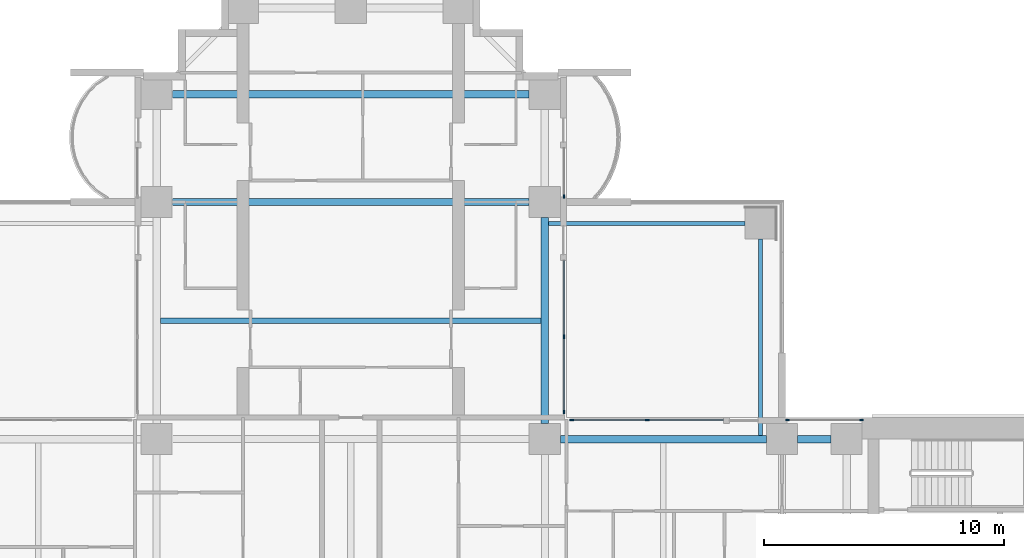
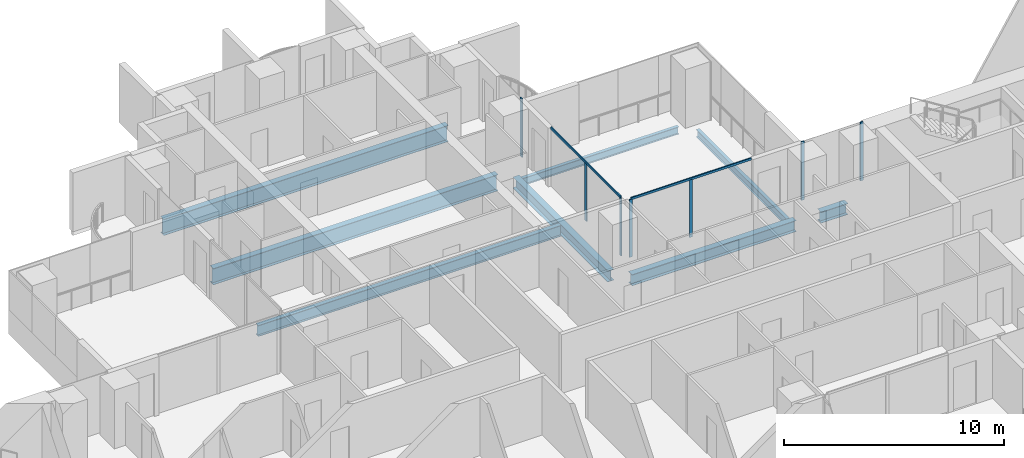
# One storey, part 7 of 23: 9 members, 8 beams, 4 elements without a shape of their own.
"""IFC4 building model written with IfcOpenShell, lengths in metres."""

from ifc_helpers import new_model, si_unit, direction, frame, origin, origin_2d, place, context, subcontext, project, spatial, rectangle, i_section, extrude, material, material_profile, profile_set, type_object, element, aggregate, save


model = new_model("IFC4")

# Units and contexts
model_context = context("Model", 3, precision=1e-05, world=origin(), true_north=direction((0.0, 1.0)))
body_context = subcontext(model_context, "Body", "Model", "MODEL_VIEW")
ifc_project = project(units=[si_unit("LENGTHUNIT", "METRE"), si_unit("AREAUNIT", "SQUARE_METRE"), si_unit("VOLUMEUNIT", "CUBIC_METRE"), si_unit("PLANEANGLEUNIT", "RADIAN"), si_unit("MASSUNIT", "GRAM", prefix="KILO")], contexts=[model_context])

# Site, building, storey
site_placement = place(None, origin())
site = spatial("IfcSite", under=ifc_project, at=site_placement, CompositionType="ELEMENT")
building_placement = place(site_placement, origin())
building = spatial("IfcBuilding", under=site, at=building_placement, Name="Perihelion Cross Residences", CompositionType="ELEMENT")
storey_placement = place(building_placement, frame((0.0, 0.0, 85.5)))
storey = spatial("IfcBuildingStorey", under=building, at=storey_placement, Name="L19", CompositionType="ELEMENT", Elevation=85.5)

# Curtain wall, members
ifc_material_1 = material(Name="Bronze anodised aluminium, tinted glazing", Category="aluminium")
curtain_wall_type = type_object("IfcCurtainWallType", Name="CW1", PredefinedType="NOTDEFINED", material=ifc_material_1)
curtain_wall_1_placement = place(storey_placement, origin())
curtain_wall_1 = element("IfcCurtainWall", 1, at=curtain_wall_1_placement, inside=storey, type_object=curtain_wall_type, Name="Curtain wall CW1 L19 east side north bay 1", PredefinedType="NOTDEFINED")
ifc_material_2 = material(Name="Bronze anodised aluminium", Category="aluminium")
ifc_material_profile_1 = material_profile(ifc_material_2, rectangle(XDim=0.06005859375, YDim=0.159912109375, at=origin_2d()), Name="CW1 mullion")
ifc_profile_set_1 = profile_set([ifc_material_profile_1], Name="Bronze anodised aluminium")
member_type_1 = type_object("IfcMemberType", Name="CW1 mullion", PredefinedType="MULLION", material=ifc_profile_set_1)
member_1_placement = place(storey_placement, frame((21.320068359375, 8.89990234375, 0.0), z_axis=(0.0, 0.0, 1.0), x_axis=(0.0, -1.0, 0.0)))
member_1 = element("IfcMember", 2, at=member_1_placement, type_object=member_type_1, Name="CW1 mullion 1", PredefinedType="MULLION", context=body_context, shape_type="SweptSolid", body=[
    extrude(rectangle(XDim=0.06005859375, YDim=0.159912109375, at=origin_2d()), origin(), (0.0, 0.0, 1.0), 3.25),
])
member_2_placement = place(storey_placement, frame((18.22998046875, 8.89990234375, 0.0), z_axis=(0.0, 0.0, 1.0), x_axis=(0.0, -1.0, 0.0)))
member_2 = element("IfcMember", 3, at=member_2_placement, type_object=member_type_1, Name="CW1 mullion 2", PredefinedType="MULLION", context=body_context, shape_type="SweptSolid", body=[
    extrude(rectangle(XDim=0.06005859375, YDim=0.159912109375, at=origin_2d()), origin(), (0.0, 0.0, 1.0), 3.25),
])
aggregate(curtain_wall_1, [member_1, member_2])

curtain_wall_2_placement = place(storey_placement, origin())
curtain_wall_2 = element("IfcCurtainWall", 4, at=curtain_wall_2_placement, inside=storey, type_object=curtain_wall_type, Name="Curtain wall CW1 L19 east side north bay 2", PredefinedType="NOTDEFINED")
member_3_placement = place(storey_placement, frame((12.375, 8.89990234375, 0.0), z_axis=(0.0, 0.0, 1.0), x_axis=(0.0, -1.0, 0.0)))
member_3 = element("IfcMember", 5, at=member_3_placement, type_object=member_type_1, Name="CW1 mullion 2", PredefinedType="MULLION", context=body_context, shape_type="SweptSolid", body=[
    extrude(rectangle(XDim=0.06005859375, YDim=0.159912109375, at=origin_2d()), origin(), (0.0, 0.0, 1.0), 3.18994140625),
])
member_4_placement = place(storey_placement, frame((9.22998046875, 8.89990234375, 0.0), z_axis=(0.0, 0.0, 1.0), x_axis=(0.0, -1.0, 0.0)))
member_4 = element("IfcMember", 6, at=member_4_placement, type_object=member_type_1, Name="CW1 mullion 3", PredefinedType="MULLION", context=body_context, shape_type="SweptSolid", body=[
    extrude(rectangle(XDim=0.06005859375, YDim=0.159912109375, at=origin_2d()), origin(), (0.0, 0.0, 1.0), 3.18994140625),
])

curtain_wall_3_placement = place(storey_placement, origin())
curtain_wall_3 = element("IfcCurtainWall", 7, at=curtain_wall_3_placement, inside=storey, type_object=curtain_wall_type, Name="Curtain wall CW1 L19 north side east bay 1", PredefinedType="NOTDEFINED")
member_5_placement = place(storey_placement, frame((8.89990234375, 9.22998046875, 0.0), z_axis=(0.0, 0.0, 1.0), x_axis=(-1.0, 0.0, 0.0)))
member_5 = element("IfcMember", 8, at=member_5_placement, type_object=member_type_1, Name="CW1 mullion 1", PredefinedType="MULLION", context=body_context, shape_type="SweptSolid", body=[
    extrude(rectangle(XDim=0.06005859375, YDim=0.159912109375, at=origin_2d()), origin(), (0.0, 0.0, 1.0), 3.18994140625),
])
member_6_placement = place(storey_placement, frame((8.89990234375, 12.375, 0.0), z_axis=(0.0, 0.0, 1.0), x_axis=(-1.0, 0.0, 0.0)))
member_6 = element("IfcMember", 9, at=member_6_placement, type_object=member_type_1, Name="CW1 mullion 2", PredefinedType="MULLION", context=body_context, shape_type="SweptSolid", body=[
    extrude(rectangle(XDim=0.06005859375, YDim=0.159912109375, at=origin_2d()), origin(), (0.0, 0.0, 1.0), 3.18994140625),
])

# Curtain wall, member
curtain_wall_4_placement = place(storey_placement, origin())
curtain_wall_4 = element("IfcCurtainWall", 10, at=curtain_wall_4_placement, inside=storey, type_object=curtain_wall_type, Name="Curtain wall CW1 L19 north side east bay 2", PredefinedType="NOTDEFINED")
member_7_placement = place(storey_placement, frame((8.89990234375, 18.22998046875, 0.0), z_axis=(0.0, 0.0, 1.0), x_axis=(-1.0, 0.0, 0.0)))
member_7 = element("IfcMember", 11, at=member_7_placement, type_object=member_type_1, Name="CW1 mullion 1", PredefinedType="MULLION", context=body_context, shape_type="SweptSolid", body=[
    extrude(rectangle(XDim=0.06005859375, YDim=0.159912109375, at=origin_2d()), origin(), (0.0, 0.0, 1.0), 3.25),
])
aggregate(curtain_wall_4, [member_7])

# Member
ifc_material_3 = material(Name="Bronze anodised aluminium", Category="aluminium")
ifc_material_profile_2 = material_profile(ifc_material_3, rectangle(XDim=0.06005859375, YDim=0.1201171875, at=origin_2d()), Name="CW1 transom")
ifc_profile_set_2 = profile_set([ifc_material_profile_2], Name="Bronze anodised aluminium")
member_type_2 = type_object("IfcMemberType", Name="CW1 transom", PredefinedType="USERDEFINED", material=ifc_profile_set_2)
member_8_placement = place(storey_placement, frame((15.550048828125, 8.89990234375, 3.219970703125), z_axis=(-1.0, 0.0, 0.0), x_axis=(0.0, -1.0, 0.0)))
member_8 = element("IfcMember", 12, at=member_8_placement, type_object=member_type_2, Name="CW1 head transom", ObjectType="TRANSOM", PredefinedType="USERDEFINED", context=body_context, shape_type="SweptSolid", body=[
    extrude(rectangle(XDim=0.06005859375, YDim=0.1201171875, at=origin_2d()), origin(), (0.0, 0.0, 1.0), 6.320068359375),
])

aggregate(curtain_wall_2, [member_3, member_4, member_8])

member_9_placement = place(storey_placement, frame((8.89990234375, 9.22998046875, 3.219970703125), z_axis=(0.0, 1.0, 0.0), x_axis=(-1.0, 0.0, 0.0)))
member_9 = element("IfcMember", 13, at=member_9_placement, type_object=member_type_2, Name="CW1 head transom", ObjectType="TRANSOM", PredefinedType="USERDEFINED", context=body_context, shape_type="SweptSolid", body=[
    extrude(rectangle(XDim=0.06005859375, YDim=0.1201171875, at=origin_2d()), origin(), (0.0, 0.0, 1.0), 6.320068359375),
])

aggregate(curtain_wall_3, [member_5, member_6, member_9])

# Beams
ifc_material_4 = material(Name="Steel S355", Category="steel")
ifc_material_profile_3 = material_profile(ifc_material_4, i_section(OverallWidth=0.177978515625, OverallDepth=0.406005859375, WebThickness=0.0078125, FlangeThickness=0.0126953125, at=origin_2d()), Name="W410x60")
ifc_profile_set_3 = profile_set([ifc_material_profile_3], Name="Steel S355")
beam_type_1 = type_object("IfcBeamType", Name="Core edge beam W410x60", PredefinedType="BEAM", material=ifc_profile_set_3)
for number, where, z_axis, x_axis, name in (
    (14, (17.10009765625, 8.262451171875, -0.452880859375), (0.0, 1.0, 0.0), (-1.0, 0.0, 0.0), "Core edge beam TB2 L19 corner no. 7"),
    (15, (8.262451171875, 17.10009765625, -0.452880859375), (1.0, 0.0, 0.0), (0.0, 1.0, 0.0), "Core edge beam TB2 L19 corner no. 8"),
):
    element("IfcBeam", number, at=place(storey_placement, frame(where, z_axis=z_axis, x_axis=x_axis)), inside=storey, type_object=beam_type_1, Name=name, PredefinedType="BEAM", context=body_context, shape_type="SweptSolid", body=[
        extrude(i_section(OverallWidth=0.177978515625, OverallDepth=0.406005859375, WebThickness=0.0078125, FlangeThickness=0.0126953125, at=origin_2d()), origin(), (0.0, 0.0, 1.0), 8.1875),
    ])
ifc_material_5 = material(Name="Steel S355", Category="steel")
ifc_material_profile_4 = material_profile(ifc_material_5, i_section(OverallWidth=0.324951171875, OverallDepth=0.616943359375, WebThickness=0.013916015625, FlangeThickness=0.021484375, at=origin_2d()), Name="W610x174")
ifc_profile_set_4 = profile_set([ifc_material_profile_4], Name="Steel S355")
beam_type_2 = type_object("IfcBeamType", Name="Edge beam W610x174", PredefinedType="SPANDREL", material=ifc_profile_set_4)
beam_1_placement = place(storey_placement, frame((20.050048828125, 8.10009765625, -0.55859375), z_axis=(-1.0, 0.0, 0.0), x_axis=(0.0, -1.0, 0.0)))
element("IfcBeam", 16, at=beam_1_placement, inside=storey, type_object=beam_type_2, Name="Edge beam SB2 L19 no. 14", PredefinedType="SPANDREL", context=body_context, shape_type="SweptSolid", body=[
    extrude(i_section(OverallWidth=0.324951171875, OverallDepth=0.616943359375, WebThickness=0.013916015625, FlangeThickness=0.021484375, at=origin_2d()), origin(), (0.0, 0.0, 1.0), 1.400146484375),
])
for number, where, z_axis, x_axis, name in (
    (17, (17.35009765625, 8.10009765625, -0.55859375), (-1.0, 0.0, 0.0), (0.0, -1.0, 0.0), "Edge beam SB2 L19 no. 13"),
    (18, (8.10009765625, 8.75, -0.55859375), (0.0, 1.0, 0.0), (-1.0, 0.0, 0.0), "Edge beam SB2 L19 no. 20"),
):
    element("IfcBeam", number, at=place(storey_placement, frame(where, z_axis=z_axis, x_axis=x_axis)), inside=storey, type_object=beam_type_2, Name=name, PredefinedType="SPANDREL", context=body_context, shape_type="SweptSolid", body=[
        extrude(i_section(OverallWidth=0.324951171875, OverallDepth=0.616943359375, WebThickness=0.013916015625, FlangeThickness=0.021484375, at=origin_2d()), origin(), (0.0, 0.0, 1.0), 8.60009765625),
    ])
ifc_material_6 = material(Name="Steel S355", Category="steel")
ifc_material_profile_5 = material_profile(ifc_material_6, i_section(OverallWidth=0.304931640625, OverallDepth=0.904052734375, WebThickness=0.01513671875, FlangeThickness=0.02001953125, at=origin_2d()), Name="W920x201")
ifc_profile_set_5 = profile_set([ifc_material_profile_5], Name="Steel S355")
beam_type_3 = type_object("IfcBeamType", Name="Floor girder W920x201", PredefinedType="BEAM", material=ifc_profile_set_5)
for number, where, z_axis, x_axis, name in (
    (19, (-7.449951171875, 18.0, -0.701904296875), (1.0, 0.0, 0.0), (0.0, 1.0, 0.0), "Girder G2 L19 no. 5"),
    (20, (-7.449951171875, 22.5, -0.701904296875), (1.0, 0.0, 0.0), (0.0, 1.0, 0.0), "Girder G2 L19 no. 6"),
):
    element("IfcBeam", number, at=place(storey_placement, frame(where, z_axis=z_axis, x_axis=x_axis)), inside=storey, type_object=beam_type_3, Name=name, PredefinedType="BEAM", context=body_context, shape_type="SweptSolid", body=[
        extrude(i_section(OverallWidth=0.304931640625, OverallDepth=0.904052734375, WebThickness=0.01513671875, FlangeThickness=0.02001953125, at=origin_2d()), origin(), (0.0, 0.0, 1.0), 14.89990234375),
    ])
ifc_material_7 = material(Name="Steel S355", Category="steel")
ifc_material_profile_6 = material_profile(ifc_material_7, i_section(OverallWidth=0.22900390625, OverallDepth=0.612060546875, WebThickness=0.011962890625, FlangeThickness=0.01953125, at=origin_2d()), Name="W610x125")
ifc_profile_set_6 = profile_set([ifc_material_profile_6], Name="Steel S355")
beam_type_4 = type_object("IfcBeamType", Name="Floor joist W610x125", PredefinedType="JOIST", material=ifc_profile_set_6)
beam_2_placement = place(storey_placement, frame((-7.9375, 13.050048828125, -0.555908203125), z_axis=(1.0, 0.0, 0.0), x_axis=(0.0, 1.0, 0.0)))
element("IfcBeam", 21, at=beam_2_placement, inside=storey, type_object=beam_type_4, Name="Joist J3 L19 no. 4", PredefinedType="JOIST", context=body_context, shape_type="SweptSolid", body=[
    extrude(i_section(OverallWidth=0.22900390625, OverallDepth=0.612060546875, WebThickness=0.011962890625, FlangeThickness=0.01953125, at=origin_2d()), origin(), (0.0, 0.0, 1.0), 15.875),
])

save(model, "model.ifc")
